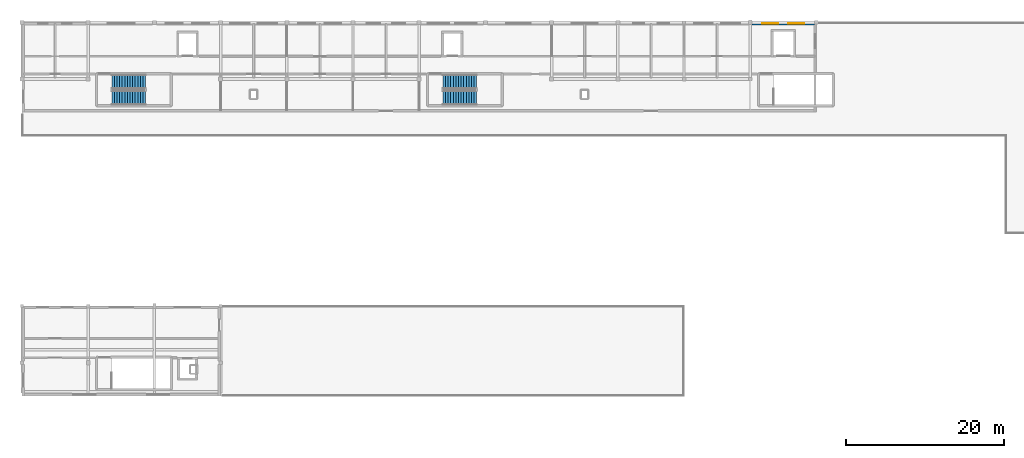
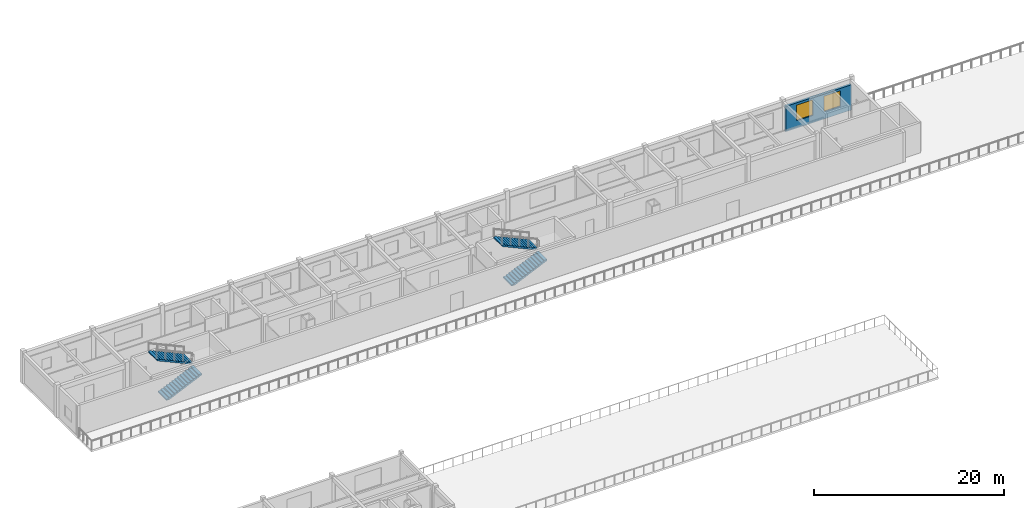
# One storey, part 9 of 14: 4 stair flights, 2 windows, 1 wall, 2 openings, 2 elements without a shape of their own.
"""IFC4 building model written with IfcOpenShell, lengths in metres."""

from ifc_helpers import new_model, si_unit, direction, frame, frame_2d, origin, place, context, subcontext, project, spatial, polyline, rectangle, outline, extrude, material, layer, layer_set, type_object, element, fill, aggregate, save


model = new_model("IFC4")

# Units and contexts
model_context = context("Model", 3, precision=1e-05, world=origin(), true_north=direction((0.0, 1.0)))
body_context = subcontext(model_context, "Body", "Model", "MODEL_VIEW")
ifc_project = project(units=[si_unit("LENGTHUNIT", "METRE"), si_unit("AREAUNIT", "SQUARE_METRE"), si_unit("VOLUMEUNIT", "CUBIC_METRE"), si_unit("PLANEANGLEUNIT", "RADIAN"), si_unit("MASSUNIT", "GRAM", prefix="KILO")], contexts=[model_context])

# Site, building, storey
site_placement = place(None, origin())
site = spatial("IfcSite", under=ifc_project, at=site_placement, CompositionType="ELEMENT")
building_placement = place(site_placement, origin())
building = spatial("IfcBuilding", under=site, at=building_placement, Name="Malvenik Polytechnic", CompositionType="ELEMENT")
storey_placement = place(building_placement, frame((0.0, 0.0, 21.89990234375)))
storey = spatial("IfcBuildingStorey", under=building, at=storey_placement, Name="L05", CompositionType="ELEMENT", Elevation=21.89990234375)

# Wall, openings, windows
ifc_material_1 = material(Name="Brick masonry M15", Category="masonry")
ifc_layer_1 = layer(ifc_material_1, 0.2900390625)
ifc_layer_set_1 = layer_set([ifc_layer_1], Name="Brick masonry M15")
wall_type = type_object("IfcWallType", Name="ARC-EW-290", PredefinedType="SOLIDWALL", material=ifc_layer_set_1)
wall_placement = place(storey_placement, frame((92.597900390625, 129.429931640625, 0.0), z_axis=(0.0, 0.0, 1.0), x_axis=(1.0, 0.0, 0.0)))
wall = element("IfcWall", 1, at=wall_placement, inside=storey, type_object=wall_type, Name="External Facade Wall EW-04 L05 #480", PredefinedType="SOLIDWALL", context=body_context, shape_type="SweptSolid", body=[
    extrude(rectangle(XDim=7.97900390625, YDim=0.2900390625, at=frame_2d((3.989501953125, 0.0))), origin(), (0.0, 0.0, 1.0), 3.25),
])
opening_1_placement = place(wall_placement, frame((1.326416015625, 0.0, 0.949951171875)))
opening_1 = element("IfcOpeningElement", 2, at=opening_1_placement, cuts=wall, Name="Opening W-03", PredefinedType="OPENING", context=body_context, shape_type="SweptSolid", body=[
    extrude(rectangle(XDim=2.0, YDim=2.0, at=frame_2d((1.0, 1.0))), frame((0.0, 0.155029296875, 0.0), z_axis=(0.0, -1.0, 0.0), x_axis=(1.0, 0.0, 0.0)), (0.0, 0.0, 1.0), 0.31005859375),
])
opening_2_placement = place(wall_placement, frame((4.652587890625, 0.0, 0.949951171875)))
opening_2 = element("IfcOpeningElement", 3, at=opening_2_placement, cuts=wall, Name="Opening W-03", PredefinedType="OPENING", context=body_context, shape_type="SweptSolid", body=[
    extrude(rectangle(XDim=2.0, YDim=2.0, at=frame_2d((1.0, 1.0))), frame((0.0, 0.155029296875, 0.0), z_axis=(0.0, -1.0, 0.0), x_axis=(1.0, 0.0, 0.0)), (0.0, 0.0, 1.0), 0.31005859375),
])
ifc_material_2 = material(Name="Thermally broken aluminium frame with low-E double glazing", Category="aluminium")
window_type = type_object("IfcWindowType", Name="ARC-WIN-W-03", PartitioningType="SINGLE_PANEL", PredefinedType="WINDOW", material=ifc_material_2)
window_1_placement = place(opening_1_placement, origin())
window_1 = element("IfcWindow", 4, at=window_1_placement, inside=storey, type_object=window_type, Name="Punched Window W-03 L05 #516", OverallHeight=2.0, OverallWidth=2.0, PartitioningType="SINGLE_PANEL", PredefinedType="WINDOW", context=body_context, shape_type="SweptSolid", body=[
    extrude(rectangle(XDim=2.0, YDim=2.0, at=frame_2d((1.0, 1.0))), frame((0.0, 0.030029296875, 0.0), z_axis=(0.0, -1.0, 0.0), x_axis=(1.0, 0.0, 0.0)), (0.0, 0.0, 1.0), 0.06005859375),
])
fill(opening_1, window_1)
window_2_placement = place(opening_2_placement, origin())
window_2 = element("IfcWindow", 5, at=window_2_placement, inside=storey, type_object=window_type, Name="Punched Window W-03 L05 #517", OverallHeight=2.0, OverallWidth=2.0, PartitioningType="SINGLE_PANEL", PredefinedType="WINDOW", context=body_context, shape_type="SweptSolid", body=[
    extrude(rectangle(XDim=2.0, YDim=2.0, at=frame_2d((1.0, 1.0))), frame((0.0, 0.030029296875, 0.0), z_axis=(0.0, -1.0, 0.0), x_axis=(1.0, 0.0, 0.0)), (0.0, 0.0, 1.0), 0.06005859375),
])
fill(opening_2, window_2)

# Stair, stair flights
ifc_material_3 = material(Name="Concrete C35/45", Category="concrete")
stair_type_1 = type_object("IfcStairType", Name="ARC-STR-ST-01", PredefinedType="HALF_TURN_STAIR", material=ifc_material_3)
stair_1_placement = place(storey_placement, origin())
stair_1 = element("IfcStair", 6, at=stair_1_placement, inside=storey, type_object=stair_type_1, Name="L05 Escape Stair ST-01", PredefinedType="HALF_TURN_STAIR")
ifc_layer_2 = layer(ifc_material_3, 0.159912109375)
ifc_layer_set_2 = layer_set([ifc_layer_2], Name="Concrete C35/45")
stair_flight_type_1 = type_object("IfcStairFlightType", Name="ARC-SFL-SFL-180A", PredefinedType="STRAIGHT", material=ifc_layer_set_2)
stair_flight_1_placement = place(storey_placement, frame((11.39990234375, 120.050048828125, 0.0), z_axis=(0.0, 0.0, 1.0), x_axis=(1.0, 0.0, 0.0)))
stair_flight_1 = element("IfcStairFlight", 7, at=stair_flight_1_placement, type_object=stair_flight_type_1, Name="ST-01 flight 1", NumberOfRisers=14, NumberOfTreads=13, PredefinedType="STRAIGHT", RiserHeight=0.15, TreadLength=0.33, context=body_context, shape_type="SweptSolid", body=[
    extrude(outline(polyline([(0.0, 0.0), (0.0, 0.14990234375), (0.330078125, 0.14990234375), (0.330078125, 0.300048828125), (0.659912109375, 0.300048828125), (0.659912109375, 0.449951171875), (0.989990234375, 0.449951171875), (0.989990234375, 0.60009765625), (1.320068359375, 0.60009765625), (1.320068359375, 0.75), (1.64990234375, 0.75), (1.64990234375, 0.89990234375), (1.97998046875, 0.89990234375), (1.97998046875, 1.050048828125), (2.31005859375, 1.050048828125), (2.31005859375, 1.199951171875), (2.639892578125, 1.199951171875), (2.639892578125, 1.35009765625), (2.969970703125, 1.35009765625), (2.969970703125, 1.5), (3.300048828125, 1.5), (3.300048828125, 1.64990234375), (3.6298828125, 1.64990234375), (3.6298828125, 1.800048828125), (3.9599609375, 1.800048828125), (3.9599609375, 1.949951171875), (4.2900390625, 1.949951171875), (4.2900390625, 2.10009765625), (4.2900390625, 1.7744140625), (0.386474609375, 0.0), (0.0, 0.0)])), frame((0.0, 0.89990234375, 0.0), z_axis=(0.0, -1.0, 0.0), x_axis=(1.0, 0.0, 0.0)), (0.0, 0.0, 1.0), 1.800048828125),
])
stair_flight_2_placement = place(storey_placement, frame((15.68994140625, 122.050048828125, 2.10009765625), z_axis=(0.0, 0.0, 1.0), x_axis=(-1.0, 0.0, 0.0)))
stair_flight_2 = element("IfcStairFlight", 8, at=stair_flight_2_placement, type_object=stair_flight_type_1, Name="ST-01 flight 2", NumberOfRisers=14, NumberOfTreads=13, PredefinedType="STRAIGHT", RiserHeight=0.15, TreadLength=0.33, context=body_context, shape_type="SweptSolid", body=[
    extrude(outline(polyline([(0.0, 0.0), (0.0, 0.14990234375), (0.330078125, 0.14990234375), (0.330078125, 0.300048828125), (0.659912109375, 0.300048828125), (0.659912109375, 0.449951171875), (0.989990234375, 0.449951171875), (0.989990234375, 0.60009765625), (1.320068359375, 0.60009765625), (1.320068359375, 0.75), (1.64990234375, 0.75), (1.64990234375, 0.89990234375), (1.97998046875, 0.89990234375), (1.97998046875, 1.050048828125), (2.31005859375, 1.050048828125), (2.31005859375, 1.199951171875), (2.639892578125, 1.199951171875), (2.639892578125, 1.35009765625), (2.969970703125, 1.35009765625), (2.969970703125, 1.5), (3.300048828125, 1.5), (3.300048828125, 1.64990234375), (3.6298828125, 1.64990234375), (3.6298828125, 1.800048828125), (3.9599609375, 1.800048828125), (3.9599609375, 1.949951171875), (4.2900390625, 1.949951171875), (4.2900390625, 2.10009765625), (4.2900390625, 1.7744140625), (0.386474609375, 0.0), (0.0, 0.0)])), frame((0.0, 0.89990234375, 0.0), z_axis=(0.0, -1.0, 0.0), x_axis=(1.0, 0.0, 0.0)), (0.0, 0.0, 1.0), 1.800048828125),
])
aggregate(stair_1, [stair_flight_1, stair_flight_2])

stair_type_2 = type_object("IfcStairType", Name="ARC-STR-ST-02", PredefinedType="HALF_TURN_STAIR", material=ifc_material_3)
stair_2_placement = place(storey_placement, origin())
stair_2 = element("IfcStair", 9, at=stair_2_placement, inside=storey, type_object=stair_type_2, Name="L05 Escape Stair ST-02", PredefinedType="HALF_TURN_STAIR")
ifc_layer_3 = layer(ifc_material_3, 0.179931640625)
ifc_layer_set_3 = layer_set([ifc_layer_3], Name="Concrete C35/45")
stair_flight_type_2 = type_object("IfcStairFlightType", Name="ARC-SFL-SFL-180B", PredefinedType="STRAIGHT", material=ifc_layer_set_3)
stair_flight_3_placement = place(storey_placement, frame((53.39990234375, 120.050048828125, 0.0), z_axis=(0.0, 0.0, 1.0), x_axis=(1.0, 0.0, 0.0)))
stair_flight_3 = element("IfcStairFlight", 10, at=stair_flight_3_placement, type_object=stair_flight_type_2, Name="ST-02 flight 1", NumberOfRisers=14, NumberOfTreads=13, PredefinedType="STRAIGHT", RiserHeight=0.15, TreadLength=0.33, context=body_context, shape_type="SweptSolid", body=[
    extrude(outline(polyline([(0.0, 0.0), (0.0, 0.14990234375), (0.330078125, 0.14990234375), (0.330078125, 0.300048828125), (0.659912109375, 0.300048828125), (0.659912109375, 0.449951171875), (0.989990234375, 0.449951171875), (0.989990234375, 0.60009765625), (1.320068359375, 0.60009765625), (1.320068359375, 0.75), (1.64990234375, 0.75), (1.64990234375, 0.89990234375), (1.97998046875, 0.89990234375), (1.97998046875, 1.050048828125), (2.31005859375, 1.050048828125), (2.31005859375, 1.199951171875), (2.639892578125, 1.199951171875), (2.639892578125, 1.35009765625), (2.969970703125, 1.35009765625), (2.969970703125, 1.5), (3.300048828125, 1.5), (3.300048828125, 1.64990234375), (3.6298828125, 1.64990234375), (3.6298828125, 1.800048828125), (3.9599609375, 1.800048828125), (3.9599609375, 1.949951171875), (4.2900390625, 1.949951171875), (4.2900390625, 2.10009765625), (4.2900390625, 1.7744140625), (0.386474609375, 0.0), (0.0, 0.0)])), frame((0.0, 0.89990234375, 0.0), z_axis=(0.0, -1.0, 0.0), x_axis=(1.0, 0.0, 0.0)), (0.0, 0.0, 1.0), 1.800048828125),
])
stair_flight_4_placement = place(storey_placement, frame((57.68994140625, 122.050048828125, 2.10009765625), z_axis=(0.0, 0.0, 1.0), x_axis=(-1.0, 0.0, 0.0)))
stair_flight_4 = element("IfcStairFlight", 11, at=stair_flight_4_placement, type_object=stair_flight_type_2, Name="ST-02 flight 2", NumberOfRisers=14, NumberOfTreads=13, PredefinedType="STRAIGHT", RiserHeight=0.15, TreadLength=0.33, context=body_context, shape_type="SweptSolid", body=[
    extrude(outline(polyline([(0.0, 0.0), (0.0, 0.14990234375), (0.330078125, 0.14990234375), (0.330078125, 0.300048828125), (0.659912109375, 0.300048828125), (0.659912109375, 0.449951171875), (0.989990234375, 0.449951171875), (0.989990234375, 0.60009765625), (1.320068359375, 0.60009765625), (1.320068359375, 0.75), (1.64990234375, 0.75), (1.64990234375, 0.89990234375), (1.97998046875, 0.89990234375), (1.97998046875, 1.050048828125), (2.31005859375, 1.050048828125), (2.31005859375, 1.199951171875), (2.639892578125, 1.199951171875), (2.639892578125, 1.35009765625), (2.969970703125, 1.35009765625), (2.969970703125, 1.5), (3.300048828125, 1.5), (3.300048828125, 1.64990234375), (3.6298828125, 1.64990234375), (3.6298828125, 1.800048828125), (3.9599609375, 1.800048828125), (3.9599609375, 1.949951171875), (4.2900390625, 1.949951171875), (4.2900390625, 2.10009765625), (4.2900390625, 1.7744140625), (0.386474609375, 0.0), (0.0, 0.0)])), frame((0.0, 0.89990234375, 0.0), z_axis=(0.0, -1.0, 0.0), x_axis=(1.0, 0.0, 0.0)), (0.0, 0.0, 1.0), 1.800048828125),
])
aggregate(stair_2, [stair_flight_3, stair_flight_4])

save(model, "model.ifc")
